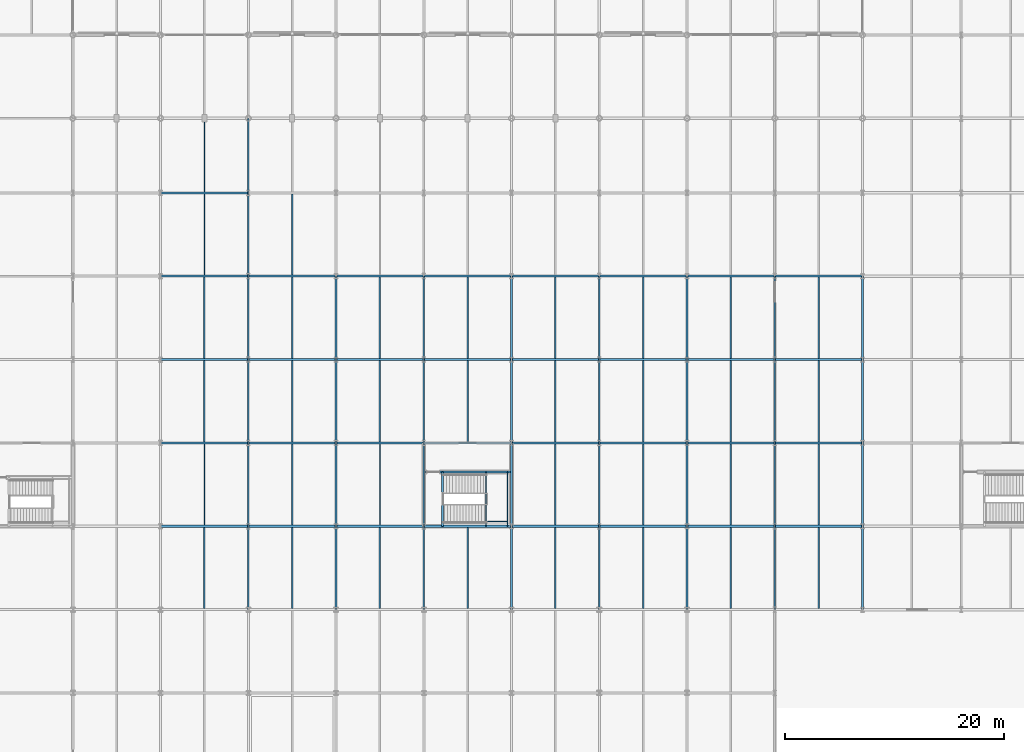
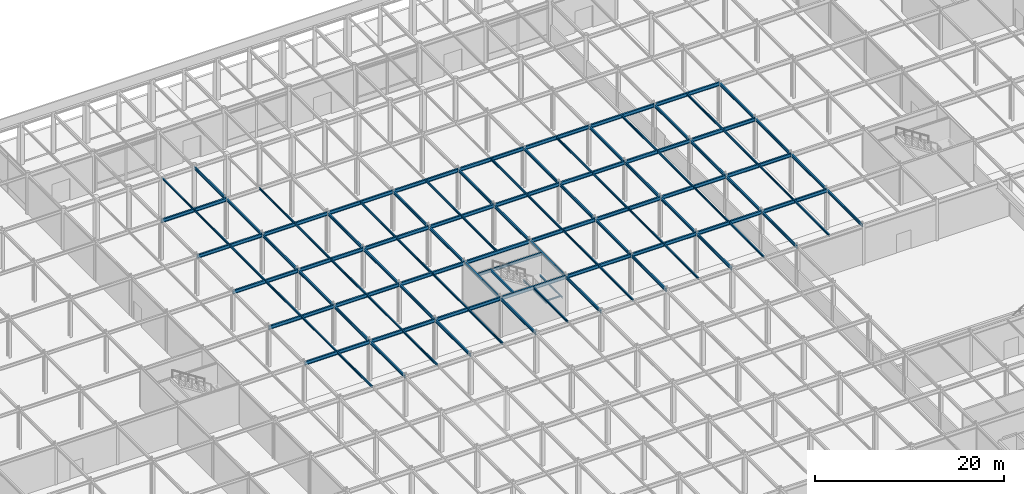
# One storey, part 36 of 89: 106 beams.
"""IFC4 building model written with IfcOpenShell, lengths in metres."""

from ifc_helpers import new_model, si_unit, direction, frame, origin, origin_2d, place, context, subcontext, project, spatial, hollow_rectangle, i_section, extrude, material, material_profile, profile_set, type_object, element, save


model = new_model("IFC4")

# Units and contexts
model_context = context("Model", 3, precision=1e-05, world=origin(), true_north=direction((0.0, 1.0)))
body_context = subcontext(model_context, "Body", "Model", "MODEL_VIEW")
ifc_project = project(units=[si_unit("LENGTHUNIT", "METRE"), si_unit("AREAUNIT", "SQUARE_METRE"), si_unit("VOLUMEUNIT", "CUBIC_METRE"), si_unit("PLANEANGLEUNIT", "RADIAN"), si_unit("MASSUNIT", "GRAM", prefix="KILO")], contexts=[model_context])

# Site, building, storey
site_placement = place(None, origin())
site = spatial("IfcSite", under=ifc_project, at=site_placement, CompositionType="ELEMENT")
building_placement = place(site_placement, origin())
building = spatial("IfcBuilding", under=site, at=building_placement, Name="Shalkamar Park Central Library", CompositionType="ELEMENT")
storey_placement = place(building_placement, origin())
storey = spatial("IfcBuildingStorey", under=building, at=storey_placement, Name="L01", CompositionType="ELEMENT", Elevation=0.0)

# Beams
ifc_material = material(Name="Steel S355", Category="steel")
ifc_material_profile_1 = material_profile(ifc_material, i_section(OverallWidth=0.10009765625, OverallDepth=0.199951171875, WebThickness=0.005615234375, FlangeThickness=0.008544921875, FilletRadius=0.011962890625, at=origin_2d()), Name="IPE 200")
ifc_profile_set_1 = profile_set([ifc_material_profile_1], Name="Steel S355")
beam_type_1 = type_object("IfcBeamType", Name="Composite Floor Joist IPE200", PredefinedType="JOIST", material=ifc_profile_set_1)
for number, where, z_axis, x_axis, name in (
    (1, (202.675048828125, 300.800048828125, 2.320068359375), (0.0, 1.0, 0.0), (-1.0, 0.0, 0.0), "Stair Half-Landing Beam ST-P7-L01-1"),
    (2, (204.64501953125, 300.800048828125, 2.320068359375), (0.0, 1.0, 0.0), (-1.0, 0.0, 0.0), "Stair Half-Landing Beam ST-P7-L01-2"),
):
    element("IfcBeam", number, at=place(storey_placement, frame(where, z_axis=z_axis, x_axis=x_axis)), inside=storey, type_object=beam_type_1, Name=name, PredefinedType="JOIST", context=body_context, shape_type="SweptSolid", body=[
        extrude(i_section(OverallWidth=0.10009765625, OverallDepth=0.199951171875, WebThickness=0.005615234375, FlangeThickness=0.008544921875, FilletRadius=0.011962890625, at=origin_2d()), origin(), (0.0, 0.0, 1.0), 4.949951171875),
    ])
beam_1_placement = place(storey_placement, frame((202.675048828125, 301.22509765625, 2.320068359375), z_axis=(1.0, 0.0, 0.0), x_axis=(0.0, 1.0, 0.0)))
element("IfcBeam", 3, at=beam_1_placement, inside=storey, type_object=beam_type_1, Name="Stair Half-Landing Cross Tie ST-P7-L01-3", PredefinedType="JOIST", context=body_context, shape_type="SweptSolid", body=[
    extrude(i_section(OverallWidth=0.10009765625, OverallDepth=0.199951171875, WebThickness=0.005615234375, FlangeThickness=0.008544921875, FilletRadius=0.011962890625, at=origin_2d()), origin(), (0.0, 0.0, 1.0), 1.969970703125),
])
ifc_material_profile_2 = material_profile(ifc_material, i_section(OverallWidth=0.1201171875, OverallDepth=0.239990234375, WebThickness=0.006103515625, FlangeThickness=0.009765625, FilletRadius=0.014892578125, at=origin_2d()), Name="IPE 240")
ifc_profile_set_2 = profile_set([ifc_material_profile_2], Name="Steel S355")
beam_type_2 = type_object("IfcBeamType", Name="Composite Floor Joist IPE240", PredefinedType="JOIST", material=ifc_profile_set_2)
for number, where, z_axis, x_axis, name in (
    (4, (177.0, 300.89306640625, 5.02001953125), (0.0, 1.0, 0.0), (-1.0, 0.0, 0.0), "Composite Joist 08/J-1 (L01)"),
    (5, (177.0, 323.693115234375, 5.02001953125), (0.0, 1.0, 0.0), (-1.0, 0.0, 0.0), "Composite Joist 08/M-1 (L01)"),
):
    element("IfcBeam", number, at=place(storey_placement, frame(where, z_axis=z_axis, x_axis=x_axis)), inside=storey, type_object=beam_type_2, Name=name, PredefinedType="JOIST", context=body_context, shape_type="SweptSolid", body=[
        extrude(i_section(OverallWidth=0.1201171875, OverallDepth=0.239990234375, WebThickness=0.006103515625, FlangeThickness=0.009765625, FilletRadius=0.014892578125, at=origin_2d()), origin(), (0.0, 0.0, 1.0), 7.413818359375),
    ])
beam_2_placement = place(storey_placement, frame((177.0, 331.29296875, 5.02001953125), z_axis=(0.0, 1.0, 0.0), x_axis=(-1.0, 0.0, 0.0)))
element("IfcBeam", 6, at=beam_2_placement, inside=storey, type_object=beam_type_2, Name="Composite Joist 08/N-1 (L01)", PredefinedType="JOIST", context=body_context, shape_type="SweptSolid", body=[
    extrude(i_section(OverallWidth=0.1201171875, OverallDepth=0.239990234375, WebThickness=0.006103515625, FlangeThickness=0.009765625, FilletRadius=0.014892578125, at=origin_2d()), origin(), (0.0, 0.0, 1.0), 6.614013671875),
])
for number, where, z_axis, x_axis, name in (
    (7, (185.0, 300.89306640625, 5.02001953125), (0.0, 1.0, 0.0), (-1.0, 0.0, 0.0), "Composite Joist 09/J-1 (L01)"),
    (8, (185.0, 323.693115234375, 5.02001953125), (0.0, 1.0, 0.0), (-1.0, 0.0, 0.0), "Composite Joist 09/M-1 (L01)"),
    (9, (193.0, 300.89306640625, 5.02001953125), (0.0, 1.0, 0.0), (-1.0, 0.0, 0.0), "Composite Joist 10/J-1 (L01)"),
    (10, (209.0, 300.89306640625, 5.02001953125), (0.0, 1.0, 0.0), (-1.0, 0.0, 0.0), "Composite Joist 12/J-1 (L01)"),
    (11, (217.0, 300.89306640625, 5.02001953125), (0.0, 1.0, 0.0), (-1.0, 0.0, 0.0), "Composite Joist 13/J-1 (L01)"),
    (12, (225.0, 300.89306640625, 5.02001953125), (0.0, 1.0, 0.0), (-1.0, 0.0, 0.0), "Composite Joist 14/J-1 (L01)"),
    (13, (233.0, 300.89306640625, 5.02001953125), (0.0, 1.0, 0.0), (-1.0, 0.0, 0.0), "Composite Joist 15/J-1 (L01)"),
):
    element("IfcBeam", number, at=place(storey_placement, frame(where, z_axis=z_axis, x_axis=x_axis)), inside=storey, type_object=beam_type_2, Name=name, PredefinedType="JOIST", context=body_context, shape_type="SweptSolid", body=[
        extrude(i_section(OverallWidth=0.1201171875, OverallDepth=0.239990234375, WebThickness=0.006103515625, FlangeThickness=0.009765625, FilletRadius=0.014892578125, at=origin_2d()), origin(), (0.0, 0.0, 1.0), 7.413818359375),
    ])
ifc_material_profile_3 = material_profile(ifc_material, i_section(OverallWidth=0.135009765625, OverallDepth=0.27001953125, WebThickness=0.006591796875, FlangeThickness=0.01025390625, FilletRadius=0.014892578125, at=origin_2d()), Name="IPE 270")
ifc_profile_set_3 = profile_set([ifc_material_profile_3], Name="Steel S355")
beam_type_3 = type_object("IfcBeamType", Name="Composite Floor Joist IPE270", PredefinedType="JOIST", material=ifc_profile_set_3)
beam_3_placement = place(storey_placement, frame((177.0, 293.298095703125, 5.0048828125), z_axis=(0.0, 1.0, 0.0), x_axis=(-1.0, 0.0, 0.0)))
element("IfcBeam", 14, at=beam_3_placement, inside=storey, type_object=beam_type_3, Name="Composite Joist 08/H-1 (L01)", PredefinedType="JOIST", context=body_context, shape_type="SweptSolid", body=[
    extrude(i_section(OverallWidth=0.135009765625, OverallDepth=0.27001953125, WebThickness=0.006591796875, FlangeThickness=0.01025390625, FilletRadius=0.014892578125, at=origin_2d()), origin(), (0.0, 0.0, 1.0), 7.408935546875),
])
for number, where, z_axis, x_axis, name in (
    (15, (177.0, 308.492919921875, 5.0048828125), (0.0, 1.0, 0.0), (-1.0, 0.0, 0.0), "Composite Joist 08/K-1 (L01)"),
    (16, (177.0, 316.093017578125, 5.0048828125), (0.0, 1.0, 0.0), (-1.0, 0.0, 0.0), "Composite Joist 08/L-1 (L01)"),
):
    element("IfcBeam", number, at=place(storey_placement, frame(where, z_axis=z_axis, x_axis=x_axis)), inside=storey, type_object=beam_type_3, Name=name, PredefinedType="JOIST", context=body_context, shape_type="SweptSolid", body=[
        extrude(i_section(OverallWidth=0.135009765625, OverallDepth=0.27001953125, WebThickness=0.006591796875, FlangeThickness=0.01025390625, FilletRadius=0.014892578125, at=origin_2d()), origin(), (0.0, 0.0, 1.0), 7.4140625),
    ])
beam_4_placement = place(storey_placement, frame((185.0, 293.298095703125, 5.0048828125), z_axis=(0.0, 1.0, 0.0), x_axis=(-1.0, 0.0, 0.0)))
element("IfcBeam", 17, at=beam_4_placement, inside=storey, type_object=beam_type_3, Name="Composite Joist 09/H-1 (L01)", PredefinedType="JOIST", context=body_context, shape_type="SweptSolid", body=[
    extrude(i_section(OverallWidth=0.135009765625, OverallDepth=0.27001953125, WebThickness=0.006591796875, FlangeThickness=0.01025390625, FilletRadius=0.014892578125, at=origin_2d()), origin(), (0.0, 0.0, 1.0), 7.408935546875),
])
for number, where, z_axis, x_axis, name in (
    (18, (185.0, 308.492919921875, 5.0048828125), (0.0, 1.0, 0.0), (-1.0, 0.0, 0.0), "Composite Joist 09/K-1 (L01)"),
    (19, (185.0, 316.093017578125, 5.0048828125), (0.0, 1.0, 0.0), (-1.0, 0.0, 0.0), "Composite Joist 09/L-1 (L01)"),
):
    element("IfcBeam", number, at=place(storey_placement, frame(where, z_axis=z_axis, x_axis=x_axis)), inside=storey, type_object=beam_type_3, Name=name, PredefinedType="JOIST", context=body_context, shape_type="SweptSolid", body=[
        extrude(i_section(OverallWidth=0.135009765625, OverallDepth=0.27001953125, WebThickness=0.006591796875, FlangeThickness=0.01025390625, FilletRadius=0.014892578125, at=origin_2d()), origin(), (0.0, 0.0, 1.0), 7.4140625),
    ])
beam_5_placement = place(storey_placement, frame((193.0, 293.298095703125, 5.0048828125), z_axis=(0.0, 1.0, 0.0), x_axis=(-1.0, 0.0, 0.0)))
element("IfcBeam", 20, at=beam_5_placement, inside=storey, type_object=beam_type_3, Name="Composite Joist 10/H-1 (L01)", PredefinedType="JOIST", context=body_context, shape_type="SweptSolid", body=[
    extrude(i_section(OverallWidth=0.135009765625, OverallDepth=0.27001953125, WebThickness=0.006591796875, FlangeThickness=0.01025390625, FilletRadius=0.014892578125, at=origin_2d()), origin(), (0.0, 0.0, 1.0), 7.408935546875),
])
for number, where, z_axis, x_axis, name in (
    (21, (193.0, 308.492919921875, 5.0048828125), (0.0, 1.0, 0.0), (-1.0, 0.0, 0.0), "Composite Joist 10/K-1 (L01)"),
    (22, (193.0, 316.093017578125, 5.0048828125), (0.0, 1.0, 0.0), (-1.0, 0.0, 0.0), "Composite Joist 10/L-1 (L01)"),
):
    element("IfcBeam", number, at=place(storey_placement, frame(where, z_axis=z_axis, x_axis=x_axis)), inside=storey, type_object=beam_type_3, Name=name, PredefinedType="JOIST", context=body_context, shape_type="SweptSolid", body=[
        extrude(i_section(OverallWidth=0.135009765625, OverallDepth=0.27001953125, WebThickness=0.006591796875, FlangeThickness=0.01025390625, FilletRadius=0.014892578125, at=origin_2d()), origin(), (0.0, 0.0, 1.0), 7.4140625),
    ])
beam_6_placement = place(storey_placement, frame((201.0, 293.298095703125, 5.0048828125), z_axis=(0.0, 1.0, 0.0), x_axis=(-1.0, 0.0, 0.0)))
element("IfcBeam", 23, at=beam_6_placement, inside=storey, type_object=beam_type_3, Name="Composite Joist 11/H-1 (L01)", PredefinedType="JOIST", context=body_context, shape_type="SweptSolid", body=[
    extrude(i_section(OverallWidth=0.135009765625, OverallDepth=0.27001953125, WebThickness=0.006591796875, FlangeThickness=0.01025390625, FilletRadius=0.014892578125, at=origin_2d()), origin(), (0.0, 0.0, 1.0), 7.408935546875),
])
for number, where, z_axis, x_axis, name in (
    (24, (201.0, 308.492919921875, 5.0048828125), (0.0, 1.0, 0.0), (-1.0, 0.0, 0.0), "Composite Joist 11/K-1 (L01)"),
    (25, (201.0, 316.093017578125, 5.0048828125), (0.0, 1.0, 0.0), (-1.0, 0.0, 0.0), "Composite Joist 11/L-1 (L01)"),
):
    element("IfcBeam", number, at=place(storey_placement, frame(where, z_axis=z_axis, x_axis=x_axis)), inside=storey, type_object=beam_type_3, Name=name, PredefinedType="JOIST", context=body_context, shape_type="SweptSolid", body=[
        extrude(i_section(OverallWidth=0.135009765625, OverallDepth=0.27001953125, WebThickness=0.006591796875, FlangeThickness=0.01025390625, FilletRadius=0.014892578125, at=origin_2d()), origin(), (0.0, 0.0, 1.0), 7.4140625),
    ])
beam_7_placement = place(storey_placement, frame((209.0, 293.298095703125, 5.0048828125), z_axis=(0.0, 1.0, 0.0), x_axis=(-1.0, 0.0, 0.0)))
element("IfcBeam", 26, at=beam_7_placement, inside=storey, type_object=beam_type_3, Name="Composite Joist 12/H-1 (L01)", PredefinedType="JOIST", context=body_context, shape_type="SweptSolid", body=[
    extrude(i_section(OverallWidth=0.135009765625, OverallDepth=0.27001953125, WebThickness=0.006591796875, FlangeThickness=0.01025390625, FilletRadius=0.014892578125, at=origin_2d()), origin(), (0.0, 0.0, 1.0), 7.408935546875),
])
for number, where, z_axis, x_axis, name in (
    (27, (209.0, 308.492919921875, 5.0048828125), (0.0, 1.0, 0.0), (-1.0, 0.0, 0.0), "Composite Joist 12/K-1 (L01)"),
    (28, (209.0, 316.093017578125, 5.0048828125), (0.0, 1.0, 0.0), (-1.0, 0.0, 0.0), "Composite Joist 12/L-1 (L01)"),
):
    element("IfcBeam", number, at=place(storey_placement, frame(where, z_axis=z_axis, x_axis=x_axis)), inside=storey, type_object=beam_type_3, Name=name, PredefinedType="JOIST", context=body_context, shape_type="SweptSolid", body=[
        extrude(i_section(OverallWidth=0.135009765625, OverallDepth=0.27001953125, WebThickness=0.006591796875, FlangeThickness=0.01025390625, FilletRadius=0.014892578125, at=origin_2d()), origin(), (0.0, 0.0, 1.0), 7.4140625),
    ])
beam_8_placement = place(storey_placement, frame((217.0, 293.298095703125, 5.0048828125), z_axis=(0.0, 1.0, 0.0), x_axis=(-1.0, 0.0, 0.0)))
element("IfcBeam", 29, at=beam_8_placement, inside=storey, type_object=beam_type_3, Name="Composite Joist 13/H-1 (L01)", PredefinedType="JOIST", context=body_context, shape_type="SweptSolid", body=[
    extrude(i_section(OverallWidth=0.135009765625, OverallDepth=0.27001953125, WebThickness=0.006591796875, FlangeThickness=0.01025390625, FilletRadius=0.014892578125, at=origin_2d()), origin(), (0.0, 0.0, 1.0), 7.408935546875),
])
for number, where, z_axis, x_axis, name in (
    (30, (217.0, 308.492919921875, 5.0048828125), (0.0, 1.0, 0.0), (-1.0, 0.0, 0.0), "Composite Joist 13/K-1 (L01)"),
    (31, (217.0, 316.093017578125, 5.0048828125), (0.0, 1.0, 0.0), (-1.0, 0.0, 0.0), "Composite Joist 13/L-1 (L01)"),
    (32, (225.0, 293.29296875, 5.0048828125), (0.0, 1.0, 0.0), (-1.0, 0.0, 0.0), "Composite Joist 14/H-1 (L01)"),
    (33, (225.0, 308.492919921875, 5.0048828125), (0.0, 1.0, 0.0), (-1.0, 0.0, 0.0), "Composite Joist 14/K-1 (L01)"),
    (34, (225.0, 316.093017578125, 5.0048828125), (0.0, 1.0, 0.0), (-1.0, 0.0, 0.0), "Composite Joist 14/L-1 (L01)"),
    (35, (233.0, 293.29296875, 5.0048828125), (0.0, 1.0, 0.0), (-1.0, 0.0, 0.0), "Composite Joist 15/H-1 (L01)"),
    (36, (233.0, 308.492919921875, 5.0048828125), (0.0, 1.0, 0.0), (-1.0, 0.0, 0.0), "Composite Joist 15/K-1 (L01)"),
    (37, (233.0, 316.093017578125, 5.0048828125), (0.0, 1.0, 0.0), (-1.0, 0.0, 0.0), "Composite Joist 15/L-1 (L01)"),
):
    element("IfcBeam", number, at=place(storey_placement, frame(where, z_axis=z_axis, x_axis=x_axis)), inside=storey, type_object=beam_type_3, Name=name, PredefinedType="JOIST", context=body_context, shape_type="SweptSolid", body=[
        extrude(i_section(OverallWidth=0.135009765625, OverallDepth=0.27001953125, WebThickness=0.006591796875, FlangeThickness=0.01025390625, FilletRadius=0.014892578125, at=origin_2d()), origin(), (0.0, 0.0, 1.0), 7.4140625),
    ])
ifc_material_profile_4 = material_profile(ifc_material, i_section(OverallWidth=0.169921875, OverallDepth=0.360107421875, WebThickness=0.008056640625, FlangeThickness=0.0126953125, FilletRadius=0.01806640625, at=origin_2d()), Name="IPE 360")
ifc_profile_set_4 = profile_set([ifc_material_profile_4], Name="Steel S355")
beam_type_4 = type_object("IfcBeamType", Name="Primary Girder IPE360", PredefinedType="BEAM", material=ifc_profile_set_4)
beam_9_placement = place(storey_placement, frame((181.0, 293.199951171875, 4.9599609375), z_axis=(0.0, 1.0, 0.0), x_axis=(-1.0, 0.0, 0.0)))
element("IfcBeam", 38, at=beam_9_placement, inside=storey, type_object=beam_type_4, Name="Beam 09:H-J (L01)", PredefinedType="BEAM", context=body_context, shape_type="SweptSolid", body=[
    extrude(i_section(OverallWidth=0.169921875, OverallDepth=0.360107421875, WebThickness=0.008056640625, FlangeThickness=0.0126953125, FilletRadius=0.01806640625, at=origin_2d()), origin(), (0.0, 0.0, 1.0), 7.60009765625),
])
beam_10_placement = place(storey_placement, frame((181.0, 300.800048828125, 4.9599609375), z_axis=(0.0, 1.0, 0.0), x_axis=(-1.0, 0.0, 0.0)))
element("IfcBeam", 39, at=beam_10_placement, inside=storey, type_object=beam_type_4, Name="Beam 09:J-K (L01)", PredefinedType="BEAM", context=body_context, shape_type="SweptSolid", body=[
    extrude(i_section(OverallWidth=0.169921875, OverallDepth=0.360107421875, WebThickness=0.008056640625, FlangeThickness=0.0126953125, FilletRadius=0.01806640625, at=origin_2d()), origin(), (0.0, 0.0, 1.0), 7.599853515625),
])
for number, where, z_axis, x_axis, name in (
    (40, (181.0, 308.39990234375, 4.9599609375), (0.0, 1.0, 0.0), (-1.0, 0.0, 0.0), "Beam 09:K-L (L01)"),
    (41, (181.0, 316.0, 4.9599609375), (0.0, 1.0, 0.0), (-1.0, 0.0, 0.0), "Beam 09:L-M (L01)"),
):
    element("IfcBeam", number, at=place(storey_placement, frame(where, z_axis=z_axis, x_axis=x_axis)), inside=storey, type_object=beam_type_4, Name=name, PredefinedType="BEAM", context=body_context, shape_type="SweptSolid", body=[
        extrude(i_section(OverallWidth=0.169921875, OverallDepth=0.360107421875, WebThickness=0.008056640625, FlangeThickness=0.0126953125, FilletRadius=0.01806640625, at=origin_2d()), origin(), (0.0, 0.0, 1.0), 7.60009765625),
    ])
beam_11_placement = place(storey_placement, frame((181.0, 323.60009765625, 4.9599609375), z_axis=(0.0, 1.0, 0.0), x_axis=(-1.0, 0.0, 0.0)))
element("IfcBeam", 42, at=beam_11_placement, inside=storey, type_object=beam_type_4, Name="Beam 09:M-N (L01)", PredefinedType="BEAM", context=body_context, shape_type="SweptSolid", body=[
    extrude(i_section(OverallWidth=0.169921875, OverallDepth=0.360107421875, WebThickness=0.008056640625, FlangeThickness=0.0126953125, FilletRadius=0.01806640625, at=origin_2d()), origin(), (0.0, 0.0, 1.0), 7.599853515625),
])
beam_12_placement = place(storey_placement, frame((181.0, 331.199951171875, 4.9599609375), z_axis=(0.0, 1.0, 0.0), x_axis=(-1.0, 0.0, 0.0)))
element("IfcBeam", 43, at=beam_12_placement, inside=storey, type_object=beam_type_4, Name="Beam 09:N-P (L01)", PredefinedType="BEAM", context=body_context, shape_type="SweptSolid", body=[
    extrude(i_section(OverallWidth=0.169921875, OverallDepth=0.360107421875, WebThickness=0.008056640625, FlangeThickness=0.0126953125, FilletRadius=0.01806640625, at=origin_2d()), origin(), (0.0, 0.0, 1.0), 6.800048828125),
])
beam_13_placement = place(storey_placement, frame((189.0, 293.199951171875, 4.9599609375), z_axis=(0.0, 1.0, 0.0), x_axis=(-1.0, 0.0, 0.0)))
element("IfcBeam", 44, at=beam_13_placement, inside=storey, type_object=beam_type_4, Name="Beam 10:H-J (L01)", PredefinedType="BEAM", context=body_context, shape_type="SweptSolid", body=[
    extrude(i_section(OverallWidth=0.169921875, OverallDepth=0.360107421875, WebThickness=0.008056640625, FlangeThickness=0.0126953125, FilletRadius=0.01806640625, at=origin_2d()), origin(), (0.0, 0.0, 1.0), 7.60009765625),
])
beam_14_placement = place(storey_placement, frame((189.0, 300.800048828125, 4.9599609375), z_axis=(0.0, 1.0, 0.0), x_axis=(-1.0, 0.0, 0.0)))
element("IfcBeam", 45, at=beam_14_placement, inside=storey, type_object=beam_type_4, Name="Beam 10:J-K (L01)", PredefinedType="BEAM", context=body_context, shape_type="SweptSolid", body=[
    extrude(i_section(OverallWidth=0.169921875, OverallDepth=0.360107421875, WebThickness=0.008056640625, FlangeThickness=0.0126953125, FilletRadius=0.01806640625, at=origin_2d()), origin(), (0.0, 0.0, 1.0), 7.599853515625),
])
for number, where, z_axis, x_axis, name in (
    (46, (189.0, 308.39990234375, 4.9599609375), (0.0, 1.0, 0.0), (-1.0, 0.0, 0.0), "Beam 10:K-L (L01)"),
    (47, (189.0, 316.0, 4.9599609375), (0.0, 1.0, 0.0), (-1.0, 0.0, 0.0), "Beam 10:L-M (L01)"),
    (48, (197.0, 293.199951171875, 4.9599609375), (0.0, 1.0, 0.0), (-1.0, 0.0, 0.0), "Beam 11:H-J (L01)"),
):
    element("IfcBeam", number, at=place(storey_placement, frame(where, z_axis=z_axis, x_axis=x_axis)), inside=storey, type_object=beam_type_4, Name=name, PredefinedType="BEAM", context=body_context, shape_type="SweptSolid", body=[
        extrude(i_section(OverallWidth=0.169921875, OverallDepth=0.360107421875, WebThickness=0.008056640625, FlangeThickness=0.0126953125, FilletRadius=0.01806640625, at=origin_2d()), origin(), (0.0, 0.0, 1.0), 7.60009765625),
    ])
beam_15_placement = place(storey_placement, frame((197.0, 300.800048828125, 4.9599609375), z_axis=(0.0, 1.0, 0.0), x_axis=(-1.0, 0.0, 0.0)))
element("IfcBeam", 49, at=beam_15_placement, inside=storey, type_object=beam_type_4, Name="Beam 11:J-K (L01)", PredefinedType="BEAM", context=body_context, shape_type="SweptSolid", body=[
    extrude(i_section(OverallWidth=0.169921875, OverallDepth=0.360107421875, WebThickness=0.008056640625, FlangeThickness=0.0126953125, FilletRadius=0.01806640625, at=origin_2d()), origin(), (0.0, 0.0, 1.0), 7.599853515625),
])
for number, where, z_axis, x_axis, name in (
    (50, (197.0, 308.39990234375, 4.9599609375), (0.0, 1.0, 0.0), (-1.0, 0.0, 0.0), "Beam 11:K-L (L01)"),
    (51, (197.0, 316.0, 4.9599609375), (0.0, 1.0, 0.0), (-1.0, 0.0, 0.0), "Beam 11:L-M (L01)"),
    (52, (205.0, 293.199951171875, 4.9599609375), (0.0, 1.0, 0.0), (-1.0, 0.0, 0.0), "Beam 12:H-J (L01)"),
):
    element("IfcBeam", number, at=place(storey_placement, frame(where, z_axis=z_axis, x_axis=x_axis)), inside=storey, type_object=beam_type_4, Name=name, PredefinedType="BEAM", context=body_context, shape_type="SweptSolid", body=[
        extrude(i_section(OverallWidth=0.169921875, OverallDepth=0.360107421875, WebThickness=0.008056640625, FlangeThickness=0.0126953125, FilletRadius=0.01806640625, at=origin_2d()), origin(), (0.0, 0.0, 1.0), 7.60009765625),
    ])
beam_16_placement = place(storey_placement, frame((205.0, 300.800048828125, 4.9599609375), z_axis=(0.0, 1.0, 0.0), x_axis=(-1.0, 0.0, 0.0)))
element("IfcBeam", 53, at=beam_16_placement, inside=storey, type_object=beam_type_4, Name="Beam 12:J-K (L01)", PredefinedType="BEAM", context=body_context, shape_type="SweptSolid", body=[
    extrude(i_section(OverallWidth=0.169921875, OverallDepth=0.360107421875, WebThickness=0.008056640625, FlangeThickness=0.0126953125, FilletRadius=0.01806640625, at=origin_2d()), origin(), (0.0, 0.0, 1.0), 7.599853515625),
])
for number, where, z_axis, x_axis, name in (
    (54, (205.0, 308.39990234375, 4.9599609375), (0.0, 1.0, 0.0), (-1.0, 0.0, 0.0), "Beam 12:K-L (L01)"),
    (55, (205.0, 316.0, 4.9599609375), (0.0, 1.0, 0.0), (-1.0, 0.0, 0.0), "Beam 12:L-M (L01)"),
    (56, (213.0, 293.199951171875, 4.9599609375), (0.0, 1.0, 0.0), (-1.0, 0.0, 0.0), "Beam 13:H-J (L01)"),
):
    element("IfcBeam", number, at=place(storey_placement, frame(where, z_axis=z_axis, x_axis=x_axis)), inside=storey, type_object=beam_type_4, Name=name, PredefinedType="BEAM", context=body_context, shape_type="SweptSolid", body=[
        extrude(i_section(OverallWidth=0.169921875, OverallDepth=0.360107421875, WebThickness=0.008056640625, FlangeThickness=0.0126953125, FilletRadius=0.01806640625, at=origin_2d()), origin(), (0.0, 0.0, 1.0), 7.60009765625),
    ])
beam_17_placement = place(storey_placement, frame((213.0, 300.800048828125, 4.9599609375), z_axis=(0.0, 1.0, 0.0), x_axis=(-1.0, 0.0, 0.0)))
element("IfcBeam", 57, at=beam_17_placement, inside=storey, type_object=beam_type_4, Name="Beam 13:J-K (L01)", PredefinedType="BEAM", context=body_context, shape_type="SweptSolid", body=[
    extrude(i_section(OverallWidth=0.169921875, OverallDepth=0.360107421875, WebThickness=0.008056640625, FlangeThickness=0.0126953125, FilletRadius=0.01806640625, at=origin_2d()), origin(), (0.0, 0.0, 1.0), 7.599853515625),
])
for number, where, z_axis, x_axis, name in (
    (58, (213.0, 308.39990234375, 4.9599609375), (0.0, 1.0, 0.0), (-1.0, 0.0, 0.0), "Beam 13:K-L (L01)"),
    (59, (213.0, 316.0, 4.9599609375), (0.0, 1.0, 0.0), (-1.0, 0.0, 0.0), "Beam 13:L-M (L01)"),
    (60, (221.0, 293.199951171875, 4.9599609375), (0.0, 1.0, 0.0), (-1.0, 0.0, 0.0), "Beam 14:H-J (L01)"),
):
    element("IfcBeam", number, at=place(storey_placement, frame(where, z_axis=z_axis, x_axis=x_axis)), inside=storey, type_object=beam_type_4, Name=name, PredefinedType="BEAM", context=body_context, shape_type="SweptSolid", body=[
        extrude(i_section(OverallWidth=0.169921875, OverallDepth=0.360107421875, WebThickness=0.008056640625, FlangeThickness=0.0126953125, FilletRadius=0.01806640625, at=origin_2d()), origin(), (0.0, 0.0, 1.0), 7.60009765625),
    ])
beam_18_placement = place(storey_placement, frame((221.0, 300.800048828125, 4.9599609375), z_axis=(0.0, 1.0, 0.0), x_axis=(-1.0, 0.0, 0.0)))
element("IfcBeam", 61, at=beam_18_placement, inside=storey, type_object=beam_type_4, Name="Beam 14:J-K (L01)", PredefinedType="BEAM", context=body_context, shape_type="SweptSolid", body=[
    extrude(i_section(OverallWidth=0.169921875, OverallDepth=0.360107421875, WebThickness=0.008056640625, FlangeThickness=0.0126953125, FilletRadius=0.01806640625, at=origin_2d()), origin(), (0.0, 0.0, 1.0), 7.599853515625),
])
for number, where, z_axis, x_axis, name in (
    (62, (221.0, 308.39990234375, 4.9599609375), (0.0, 1.0, 0.0), (-1.0, 0.0, 0.0), "Beam 14:K-L (L01)"),
    (63, (221.0, 316.0, 4.9599609375), (0.0, 1.0, 0.0), (-1.0, 0.0, 0.0), "Beam 14:L-M (L01)"),
    (64, (229.0, 293.199951171875, 4.9599609375), (0.0, 1.0, 0.0), (-1.0, 0.0, 0.0), "Beam 15:H-J (L01)"),
):
    element("IfcBeam", number, at=place(storey_placement, frame(where, z_axis=z_axis, x_axis=x_axis)), inside=storey, type_object=beam_type_4, Name=name, PredefinedType="BEAM", context=body_context, shape_type="SweptSolid", body=[
        extrude(i_section(OverallWidth=0.169921875, OverallDepth=0.360107421875, WebThickness=0.008056640625, FlangeThickness=0.0126953125, FilletRadius=0.01806640625, at=origin_2d()), origin(), (0.0, 0.0, 1.0), 7.60009765625),
    ])
beam_19_placement = place(storey_placement, frame((229.0, 300.800048828125, 4.9599609375), z_axis=(0.0, 1.0, 0.0), x_axis=(-1.0, 0.0, 0.0)))
element("IfcBeam", 65, at=beam_19_placement, inside=storey, type_object=beam_type_4, Name="Beam 15:J-K (L01)", PredefinedType="BEAM", context=body_context, shape_type="SweptSolid", body=[
    extrude(i_section(OverallWidth=0.169921875, OverallDepth=0.360107421875, WebThickness=0.008056640625, FlangeThickness=0.0126953125, FilletRadius=0.01806640625, at=origin_2d()), origin(), (0.0, 0.0, 1.0), 7.599853515625),
])
for number, where, z_axis, x_axis, name in (
    (66, (229.0, 308.39990234375, 4.9599609375), (0.0, 1.0, 0.0), (-1.0, 0.0, 0.0), "Beam 15:K-L (L01)"),
    (67, (229.0, 316.0, 4.9599609375), (0.0, 1.0, 0.0), (-1.0, 0.0, 0.0), "Beam 15:L-M (L01)"),
    (68, (237.0, 293.199951171875, 4.9599609375), (0.0, 1.0, 0.0), (-1.0, 0.0, 0.0), "Beam 16:H-J (L01)"),
):
    element("IfcBeam", number, at=place(storey_placement, frame(where, z_axis=z_axis, x_axis=x_axis)), inside=storey, type_object=beam_type_4, Name=name, PredefinedType="BEAM", context=body_context, shape_type="SweptSolid", body=[
        extrude(i_section(OverallWidth=0.169921875, OverallDepth=0.360107421875, WebThickness=0.008056640625, FlangeThickness=0.0126953125, FilletRadius=0.01806640625, at=origin_2d()), origin(), (0.0, 0.0, 1.0), 7.60009765625),
    ])
beam_20_placement = place(storey_placement, frame((237.0, 300.800048828125, 4.9599609375), z_axis=(0.0, 1.0, 0.0), x_axis=(-1.0, 0.0, 0.0)))
element("IfcBeam", 69, at=beam_20_placement, inside=storey, type_object=beam_type_4, Name="Beam 16:J-K (L01)", PredefinedType="BEAM", context=body_context, shape_type="SweptSolid", body=[
    extrude(i_section(OverallWidth=0.169921875, OverallDepth=0.360107421875, WebThickness=0.008056640625, FlangeThickness=0.0126953125, FilletRadius=0.01806640625, at=origin_2d()), origin(), (0.0, 0.0, 1.0), 7.599853515625),
])
for number, where, z_axis, x_axis, name in (
    (70, (237.0, 308.39990234375, 4.9599609375), (0.0, 1.0, 0.0), (-1.0, 0.0, 0.0), "Beam 16:K-L (L01)"),
    (71, (237.0, 316.0, 4.9599609375), (0.0, 1.0, 0.0), (-1.0, 0.0, 0.0), "Beam 16:L-M (L01)"),
):
    element("IfcBeam", number, at=place(storey_placement, frame(where, z_axis=z_axis, x_axis=x_axis)), inside=storey, type_object=beam_type_4, Name=name, PredefinedType="BEAM", context=body_context, shape_type="SweptSolid", body=[
        extrude(i_section(OverallWidth=0.169921875, OverallDepth=0.360107421875, WebThickness=0.008056640625, FlangeThickness=0.0126953125, FilletRadius=0.01806640625, at=origin_2d()), origin(), (0.0, 0.0, 1.0), 7.60009765625),
    ])
beam_21_placement = place(storey_placement, frame((197.087890625, 305.75, 4.9599609375), z_axis=(1.0, 0.0, 0.0), x_axis=(0.0, 1.0, 0.0)))
element("IfcBeam", 72, at=beam_21_placement, inside=storey, type_object=beam_type_4, Name="CORE-P7 Stairwell Divider Beam (L01)", PredefinedType="BEAM", context=body_context, shape_type="SweptSolid", body=[
    extrude(i_section(OverallWidth=0.169921875, OverallDepth=0.360107421875, WebThickness=0.008056640625, FlangeThickness=0.0126953125, FilletRadius=0.01806640625, at=origin_2d()), origin(), (0.0, 0.0, 1.0), 7.82421875),
])
ifc_material_profile_5 = material_profile(ifc_material, i_section(OverallWidth=0.18994140625, OverallDepth=0.449951171875, WebThickness=0.009521484375, FlangeThickness=0.0146484375, FilletRadius=0.02099609375, at=origin_2d()), Name="IPE 450")
ifc_profile_set_5 = profile_set([ifc_material_profile_5], Name="Steel S355")
beam_type_5 = type_object("IfcBeamType", Name="Primary Girder IPE450", PredefinedType="BEAM", material=ifc_profile_set_5)
for number, where, z_axis, x_axis, name in (
    (73, (173.0, 300.800048828125, 4.9150390625), (1.0, 0.0, 0.0), (0.0, 1.0, 0.0), "Beam J:08-09 (L01)"),
    (74, (181.0, 300.800048828125, 4.9150390625), (1.0, 0.0, 0.0), (0.0, 1.0, 0.0), "Beam J:09-10 (L01)"),
    (75, (189.0, 300.800048828125, 4.9150390625), (1.0, 0.0, 0.0), (0.0, 1.0, 0.0), "Beam J:10-11 (L01)"),
    (76, (197.0, 300.800048828125, 4.9150390625), (1.0, 0.0, 0.0), (0.0, 1.0, 0.0), "Beam J:11-12 (L01)"),
    (77, (205.0, 300.800048828125, 4.9150390625), (1.0, 0.0, 0.0), (0.0, 1.0, 0.0), "Beam J:12-13 (L01)"),
    (78, (213.0, 300.800048828125, 4.9150390625), (1.0, 0.0, 0.0), (0.0, 1.0, 0.0), "Beam J:13-14 (L01)"),
    (79, (221.0, 300.800048828125, 4.9150390625), (1.0, 0.0, 0.0), (0.0, 1.0, 0.0), "Beam J:14-15 (L01)"),
    (80, (229.0, 300.800048828125, 4.9150390625), (1.0, 0.0, 0.0), (0.0, 1.0, 0.0), "Beam J:15-16 (L01)"),
    (81, (173.0, 308.39990234375, 4.9150390625), (1.0, 0.0, 0.0), (0.0, 1.0, 0.0), "Beam K:08-09 (L01)"),
    (82, (181.0, 308.39990234375, 4.9150390625), (1.0, 0.0, 0.0), (0.0, 1.0, 0.0), "Beam K:09-10 (L01)"),
    (83, (189.0, 308.39990234375, 4.9150390625), (1.0, 0.0, 0.0), (0.0, 1.0, 0.0), "Beam K:10-11 (L01)"),
    (84, (197.0, 308.39990234375, 4.9150390625), (1.0, 0.0, 0.0), (0.0, 1.0, 0.0), "Beam K:11-12 (L01)"),
    (85, (205.0, 308.39990234375, 4.9150390625), (1.0, 0.0, 0.0), (0.0, 1.0, 0.0), "Beam K:12-13 (L01)"),
    (86, (213.0, 308.39990234375, 4.9150390625), (1.0, 0.0, 0.0), (0.0, 1.0, 0.0), "Beam K:13-14 (L01)"),
    (87, (221.0, 308.39990234375, 4.9150390625), (1.0, 0.0, 0.0), (0.0, 1.0, 0.0), "Beam K:14-15 (L01)"),
    (88, (229.0, 308.39990234375, 4.9150390625), (1.0, 0.0, 0.0), (0.0, 1.0, 0.0), "Beam K:15-16 (L01)"),
    (89, (173.0, 316.0, 4.9150390625), (1.0, 0.0, 0.0), (0.0, 1.0, 0.0), "Beam L:08-09 (L01)"),
    (90, (181.0, 316.0, 4.9150390625), (1.0, 0.0, 0.0), (0.0, 1.0, 0.0), "Beam L:09-10 (L01)"),
    (91, (189.0, 316.0, 4.9150390625), (1.0, 0.0, 0.0), (0.0, 1.0, 0.0), "Beam L:10-11 (L01)"),
    (92, (197.0, 316.0, 4.9150390625), (1.0, 0.0, 0.0), (0.0, 1.0, 0.0), "Beam L:11-12 (L01)"),
    (93, (205.0, 316.0, 4.9150390625), (1.0, 0.0, 0.0), (0.0, 1.0, 0.0), "Beam L:12-13 (L01)"),
    (94, (213.0, 316.0, 4.9150390625), (1.0, 0.0, 0.0), (0.0, 1.0, 0.0), "Beam L:13-14 (L01)"),
    (95, (221.0, 316.0, 4.9150390625), (1.0, 0.0, 0.0), (0.0, 1.0, 0.0), "Beam L:14-15 (L01)"),
    (96, (229.0, 316.0, 4.9150390625), (1.0, 0.0, 0.0), (0.0, 1.0, 0.0), "Beam L:15-16 (L01)"),
    (97, (173.0, 323.60009765625, 4.9150390625), (1.0, 0.0, 0.0), (0.0, 1.0, 0.0), "Beam M:08-09 (L01)"),
    (98, (181.0, 323.60009765625, 4.9150390625), (1.0, 0.0, 0.0), (0.0, 1.0, 0.0), "Beam M:09-10 (L01)"),
    (99, (189.0, 323.60009765625, 4.9150390625), (1.0, 0.0, 0.0), (0.0, 1.0, 0.0), "Beam M:10-11 (L01)"),
    (100, (197.0, 323.60009765625, 4.9150390625), (1.0, 0.0, 0.0), (0.0, 1.0, 0.0), "Beam M:11-12 (L01)"),
    (101, (205.0, 323.60009765625, 4.9150390625), (1.0, 0.0, 0.0), (0.0, 1.0, 0.0), "Beam M:12-13 (L01)"),
    (102, (213.0, 323.60009765625, 4.9150390625), (1.0, 0.0, 0.0), (0.0, 1.0, 0.0), "Beam M:13-14 (L01)"),
    (103, (221.0, 323.60009765625, 4.9150390625), (1.0, 0.0, 0.0), (0.0, 1.0, 0.0), "Beam M:14-15 (L01)"),
    (104, (229.0, 323.60009765625, 4.9150390625), (1.0, 0.0, 0.0), (0.0, 1.0, 0.0), "Beam M:15-16 (L01)"),
    (105, (173.0, 331.199951171875, 4.9150390625), (1.0, 0.0, 0.0), (0.0, 1.0, 0.0), "Beam N:08-09 (L01)"),
):
    element("IfcBeam", number, at=place(storey_placement, frame(where, z_axis=z_axis, x_axis=x_axis)), inside=storey, type_object=beam_type_5, Name=name, PredefinedType="BEAM", context=body_context, shape_type="SweptSolid", body=[
        extrude(i_section(OverallWidth=0.18994140625, OverallDepth=0.449951171875, WebThickness=0.009521484375, FlangeThickness=0.0146484375, FilletRadius=0.02099609375, at=origin_2d()), origin(), (0.0, 0.0, 1.0), 8.0),
    ])
ifc_material_profile_6 = material_profile(ifc_material, hollow_rectangle(XDim=0.199951171875, YDim=0.300048828125, WallThickness=0.011962890625, InnerFilletRadius=0.011962890625, OuterFilletRadius=0.01806640625, at=origin_2d()), Name="RHS 300x200x12")
ifc_profile_set_6 = profile_set([ifc_material_profile_6], Name="Steel S355")
beam_type_6 = type_object("IfcBeamType", Name="Stair Trimmer Box RHS300x200", PredefinedType="BEAM", material=ifc_profile_set_6)
beam_22_placement = place(storey_placement, frame((198.695068359375, 300.800048828125, 4.989990234375), z_axis=(0.0, 1.0, 0.0), x_axis=(-1.0, 0.0, 0.0)))
element("IfcBeam", 106, at=beam_22_placement, inside=storey, type_object=beam_type_6, Name="Stair Arrival Trimmer Girder ST-P7-L01", PredefinedType="BEAM", context=body_context, shape_type="SweptSolid", body=[
    extrude(hollow_rectangle(XDim=0.199951171875, YDim=0.300048828125, WallThickness=0.011962890625, InnerFilletRadius=0.011962890625, OuterFilletRadius=0.01806640625, at=origin_2d()), origin(), (0.0, 0.0, 1.0), 4.949951171875),
])

save(model, "model.ifc")
